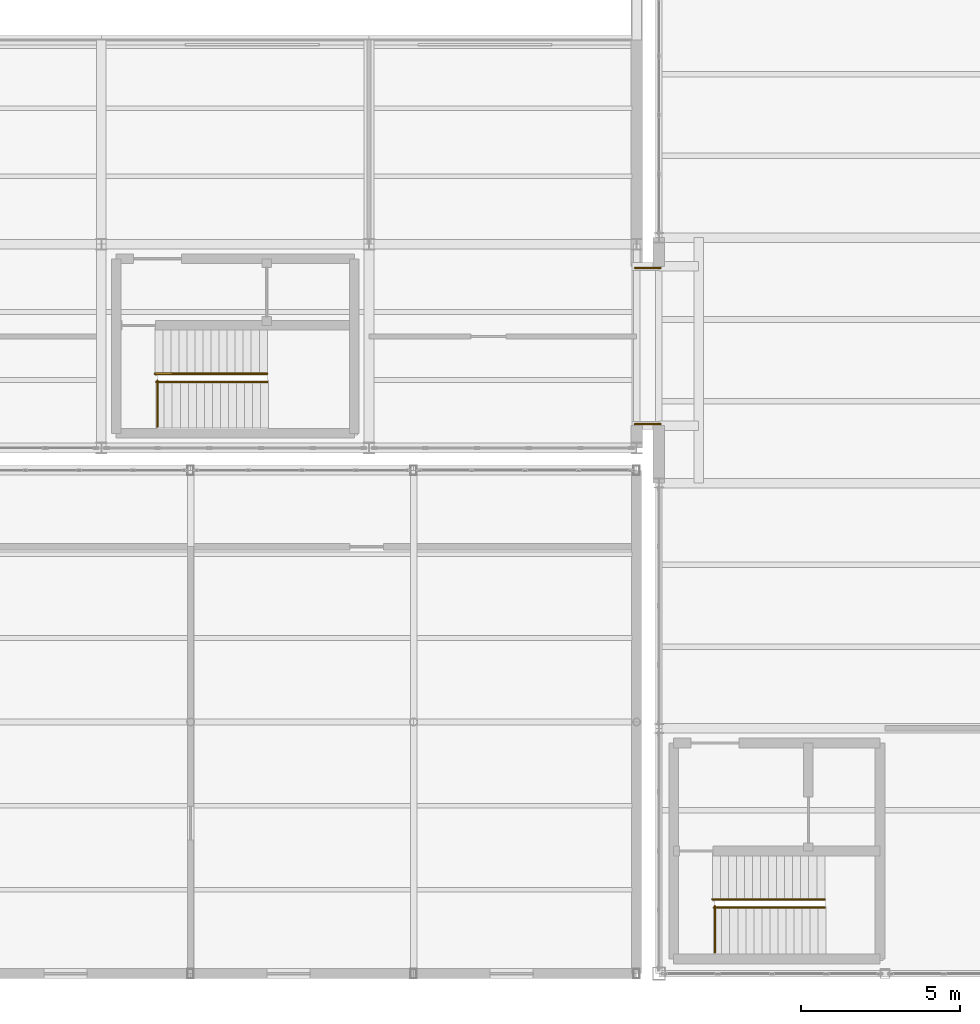
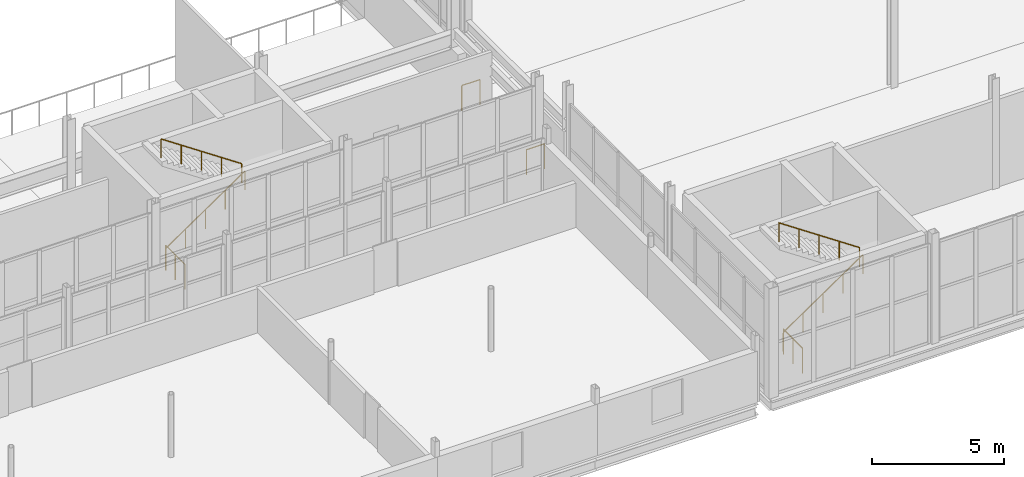
# One storey, part 216 of 218: 8 railings.
"""IFC4 building model written with IfcOpenShell, lengths in metres."""

from ifc_helpers import new_model, si_unit, direction, frame, origin, origin_2d, place, context, subcontext, project, spatial, circle, extrude, material, type_object, element, save


model = new_model("IFC4")

# Units and contexts
model_context = context("Model", 3, precision=1e-05, world=origin(), true_north=direction((0.0, 1.0)))
body_context = subcontext(model_context, "Body", "Model", "MODEL_VIEW")
ifc_project = project(units=[si_unit("LENGTHUNIT", "METRE"), si_unit("AREAUNIT", "SQUARE_METRE"), si_unit("VOLUMEUNIT", "CUBIC_METRE"), si_unit("PLANEANGLEUNIT", "RADIAN"), si_unit("MASSUNIT", "GRAM", prefix="KILO")], contexts=[model_context])

# Site, building, storey
site_placement = place(None, origin())
site = spatial("IfcSite", under=ifc_project, at=site_placement, CompositionType="ELEMENT")
building_placement = place(site_placement, origin())
building = spatial("IfcBuilding", under=site, at=building_placement, Name="Kazenagashi Tramway Depot", CompositionType="ELEMENT")
storey_placement = place(building_placement, frame((0.0, 0.0, 6.0)))
storey = spatial("IfcBuildingStorey", under=building, at=storey_placement, Name="L02", CompositionType="ELEMENT", Elevation=6.0)

# Railings
ifc_material_1 = material(Name="Galvanised Painted Steel Balustrade", Category="steel")
railing_type_1 = type_object("IfcRailingType", Name="GR-01", PredefinedType="GUARDRAIL", material=ifc_material_1)
for number, where, name in (
    (1, (130.56, 17.17, 0.0), "Stairwell ST-20 Arrival Guardrail"),
    (2, (148.06, 0.67, 0.0), "Stairwell ST-23 Arrival Guardrail"),
):
    element("IfcRailing", number, at=place(storey_placement, frame(where)), inside=storey, type_object=railing_type_1, Name=name, PredefinedType="GUARDRAIL", context=body_context, shape_type="SweptSolid", body=[
        extrude(circle(Radius=0.024, at=origin_2d()), frame((0.0, 0.0, 1.156), z_axis=(0.0, 1.0, 0.0), x_axis=(-1.0, 0.0, 0.0)), (0.0, 0.0, 1.0), 1.45),
        extrude(circle(Radius=0.021, at=origin_2d()), origin(), (0.0, 0.0, 1.0), 1.132),
        extrude(circle(Radius=0.021, at=origin_2d()), frame((0.0, 0.725, 0.0)), (0.0, 0.0, 1.0), 1.132),
        extrude(circle(Radius=0.021, at=origin_2d()), frame((0.0, 1.45, 0.0)), (0.0, 0.0, 1.0), 1.132),
    ])
ifc_material_2 = material(Name="Weathering Steel SMA490W Balustrade", Category="steel")
railing_type_2 = type_object("IfcRailingType", Name="GR-02", PredefinedType="GUARDRAIL", material=ifc_material_2)
for number, where, name in (
    (3, (145.55, 17.25, 0.0), "Terrace Perimeter Guardrail GR-02 7"),
    (4, (145.55, 22.15, 0.0), "Terrace Perimeter Guardrail GR-02 8"),
):
    element("IfcRailing", number, at=place(storey_placement, frame(where)), inside=storey, type_object=railing_type_2, Name=name, PredefinedType="GUARDRAIL", context=body_context, shape_type="SweptSolid", body=[
        extrude(circle(Radius=0.024, at=origin_2d()), frame((0.0, 0.0, 1.156), z_axis=(1.0, 0.0, 0.0), x_axis=(0.0, 1.0, 0.0)), (0.0, 0.0, 1.0), 0.8),
        extrude(circle(Radius=0.021, at=origin_2d()), origin(), (0.0, 0.0, 1.0), 1.132),
        extrude(circle(Radius=0.021, at=origin_2d()), frame((0.8, 0.0, 0.0)), (0.0, 0.0, 1.0), 1.132),
    ])
ifc_material_3 = material(Name="Brushed Stainless Steel Handrail", Category="steel")
railing_type_3 = type_object("IfcRailingType", Name="HR-01", PredefinedType="HANDRAIL", material=ifc_material_3)
railing_1_placement = place(storey_placement, frame((130.52, 18.57, 0.17)))
element("IfcRailing", 5, at=railing_1_placement, inside=storey, type_object=railing_type_3, Name="Stair ST-21 Lower Handrail", PredefinedType="HANDRAIL", context=body_context, shape_type="SweptSolid", body=[
    extrude(circle(Radius=0.024, at=origin_2d()), frame((0.0, 0.0, 0.876), z_axis=(0.826026878985, 0.0, 0.563630725913), x_axis=(0.0, 1.0, 0.0)), (0.0, 0.0, 1.0), 4.222623),
    extrude(circle(Radius=0.021, at=origin_2d()), origin(), (0.0, 0.0, 1.0), 0.852),
    extrude(circle(Radius=0.021, at=origin_2d()), frame((0.872, 0.0, 0.595)), (0.0, 0.0, 1.0), 0.852),
    extrude(circle(Radius=0.021, at=origin_2d()), frame((1.744, 0.0, 1.19)), (0.0, 0.0, 1.0), 0.852),
    extrude(circle(Radius=0.021, at=origin_2d()), frame((2.616, 0.0, 1.785)), (0.0, 0.0, 1.0), 0.852),
    extrude(circle(Radius=0.021, at=origin_2d()), frame((3.488, 0.0, 2.38)), (0.0, 0.0, 1.0), 0.852),
])
railing_2_placement = place(storey_placement, frame((134.008, 18.83, 2.72)))
element("IfcRailing", 6, at=railing_2_placement, inside=storey, type_object=railing_type_3, Name="Stair ST-21 Upper Handrail", PredefinedType="HANDRAIL", context=body_context, shape_type="SweptSolid", body=[
    extrude(circle(Radius=0.024, at=origin_2d()), frame((0.0, 0.0, 0.876), z_axis=(-0.829001192095, 0.0, 0.559246835937), x_axis=(0.0, -1.0, 0.0)), (0.0, 0.0, 1.0), 4.255724),
    extrude(circle(Radius=0.021, at=origin_2d()), origin(), (0.0, 0.0, 1.0), 0.852),
    extrude(circle(Radius=0.021, at=origin_2d()), frame((-0.882, 0.0, 0.595)), (0.0, 0.0, 1.0), 0.852),
    extrude(circle(Radius=0.021, at=origin_2d()), frame((-1.764, 0.0, 1.19)), (0.0, 0.0, 1.0), 0.852),
    extrude(circle(Radius=0.021, at=origin_2d()), frame((-2.646, 0.0, 1.785)), (0.0, 0.0, 1.0), 0.852),
    extrude(circle(Radius=0.021, at=origin_2d()), frame((-3.528, 0.0, 2.38)), (0.0, 0.0, 1.0), 0.852),
])
railing_3_placement = place(storey_placement, frame((148.02, 2.07, 0.17)))
element("IfcRailing", 7, at=railing_3_placement, inside=storey, type_object=railing_type_3, Name="Stair ST-24 Lower Handrail", PredefinedType="HANDRAIL", context=body_context, shape_type="SweptSolid", body=[
    extrude(circle(Radius=0.024, at=origin_2d()), frame((0.0, 0.0, 0.876), z_axis=(0.826026878985, 0.0, 0.563630725913), x_axis=(0.0, 1.0, 0.0)), (0.0, 0.0, 1.0), 4.222623),
    extrude(circle(Radius=0.021, at=origin_2d()), origin(), (0.0, 0.0, 1.0), 0.852),
    extrude(circle(Radius=0.021, at=origin_2d()), frame((0.872, 0.0, 0.595)), (0.0, 0.0, 1.0), 0.852),
    extrude(circle(Radius=0.021, at=origin_2d()), frame((1.744, 0.0, 1.19)), (0.0, 0.0, 1.0), 0.852),
    extrude(circle(Radius=0.021, at=origin_2d()), frame((2.616, 0.0, 1.785)), (0.0, 0.0, 1.0), 0.852),
    extrude(circle(Radius=0.021, at=origin_2d()), frame((3.488, 0.0, 2.38)), (0.0, 0.0, 1.0), 0.852),
])
railing_4_placement = place(storey_placement, frame((151.508, 2.33, 2.72)))
element("IfcRailing", 8, at=railing_4_placement, inside=storey, type_object=railing_type_3, Name="Stair ST-24 Upper Handrail", PredefinedType="HANDRAIL", context=body_context, shape_type="SweptSolid", body=[
    extrude(circle(Radius=0.024, at=origin_2d()), frame((0.0, 0.0, 0.876), z_axis=(-0.829001192095, 0.0, 0.559246835937), x_axis=(0.0, -1.0, 0.0)), (0.0, 0.0, 1.0), 4.255724),
    extrude(circle(Radius=0.021, at=origin_2d()), origin(), (0.0, 0.0, 1.0), 0.852),
    extrude(circle(Radius=0.021, at=origin_2d()), frame((-0.882, 0.0, 0.595)), (0.0, 0.0, 1.0), 0.852),
    extrude(circle(Radius=0.021, at=origin_2d()), frame((-1.764, 0.0, 1.19)), (0.0, 0.0, 1.0), 0.852),
    extrude(circle(Radius=0.021, at=origin_2d()), frame((-2.646, 0.0, 1.785)), (0.0, 0.0, 1.0), 0.852),
    extrude(circle(Radius=0.021, at=origin_2d()), frame((-3.528, 0.0, 2.38)), (0.0, 0.0, 1.0), 0.852),
])

save(model, "model.ifc")
